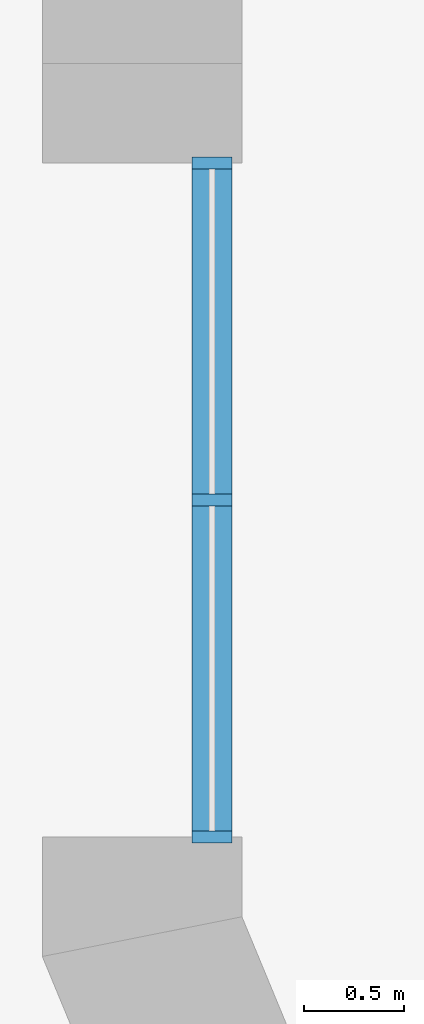
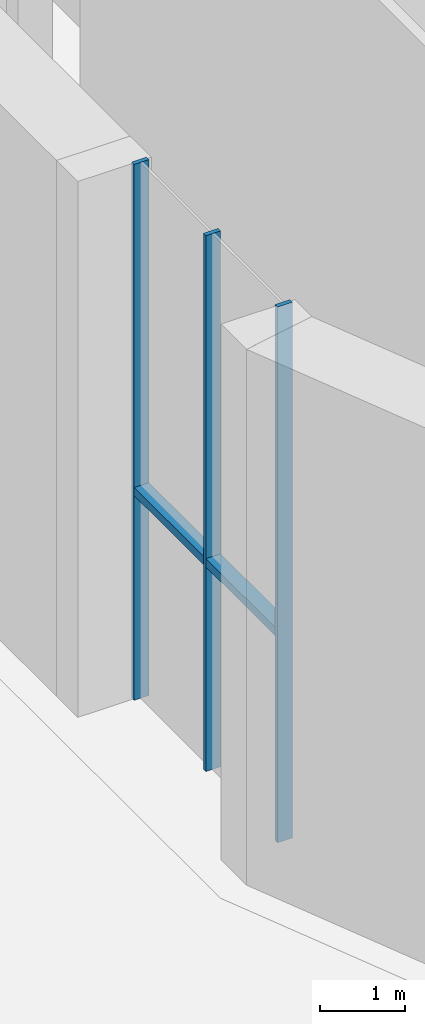
# One storey, part 2 of 22: 5 members, 1 element without a shape of its own.
"""IFC4 building model written with IfcOpenShell, lengths in metres."""

import ifcopenshell
import ifcopenshell.guid

model = None  # the IFC model being written
_history = None  # IfcOwnerHistory: only IFC2X3 demands one
_inside = {}  # id of a spatial element -> (the spatial element, [elements in it])
_under = {}  # id of a project, library or spatial element -> (it, [spatial elements below it])
_declared = {}  # id of a project -> (the project, [libraries it declares])
_typed = {}  # id of a type object -> (the type object, [elements of that type])
_made_of = {}  # id of a material, layer set ... -> (it, [elements and type objects made of it])


def new_model(schema):
    """Start an empty IFC model of exactly this schema.

    Asked for "IFC4X3", IfcOpenShell would pick the latest addendum, in which some entities
    have other attributes; the version numbers below select the first issue.
    IFC2X3 requires an IfcOwnerHistory on every rooted entity: one is made here for all.
    """
    global model, _history
    if schema == "IFC4X3":
        model = ifcopenshell.file(schema_version=(4, 3, 0, 0))
    else:
        model = ifcopenshell.file(schema=schema)
    _inside.clear()
    _under.clear()
    _declared.clear()
    _typed.clear()
    _made_of.clear()
    _history = None
    if model.schema == "IFC2X3":
        org = make("IfcOrganization", Name="unknown")
        user = make(
            "IfcPersonAndOrganization",
            ThePerson=make("IfcPerson", FamilyName="unknown"),
            TheOrganization=org,
        )
        app = make(
            "IfcApplication",
            ApplicationDeveloper=org,
            Version="unknown",
            ApplicationFullName="unknown",
            ApplicationIdentifier="unknown",
        )
        _history = make(
            "IfcOwnerHistory",
            OwningUser=user,
            OwningApplication=app,
            ChangeAction="ADDED",
            CreationDate=0,
        )
    return model


def make(cls, **values):
    """One entity of the class cls with the attributes given. An attribute that is None is left unset."""
    return model.create_entity(
        cls, **{name: value for name, value in values.items() if value is not None}
    )


def rooted(cls, **values):
    """An entity with a GlobalId (a new one), such as an element, a storey or a relation."""
    return make(cls, GlobalId=ifcopenshell.guid.new(), OwnerHistory=_history, **values)


def si_unit(unit_type, name, prefix=None):
    """IfcSIUnit, for example si_unit("LENGTHUNIT", "METRE", prefix="MILLI")."""
    return make("IfcSIUnit", UnitType=unit_type, Prefix=prefix, Name=name)


def assignment(units):
    """IfcUnitAssignment: the units of a project."""
    return None if units is None else make("IfcUnitAssignment", Units=units)


def point(xyz):
    """IfcCartesianPoint."""
    return None if xyz is None else make("IfcCartesianPoint", Coordinates=xyz)


def direction(xyz):
    """IfcDirection."""
    return None if xyz is None else make("IfcDirection", DirectionRatios=xyz)


def frame(location, z_axis=None, x_axis=None):
    """IfcAxis2Placement3D, a coordinate frame: its origin and axes. An axis left out is left unset."""
    return make(
        "IfcAxis2Placement3D",
        Location=point(location),
        Axis=direction(z_axis),
        RefDirection=direction(x_axis),
    )


def frame_2d(location, x_axis=None):
    """IfcAxis2Placement2D, a coordinate frame in the plane: its origin and x axis."""
    return make(
        "IfcAxis2Placement2D", Location=point(location), RefDirection=direction(x_axis)
    )


def origin():
    """The frame at (0, 0, 0) with its axes left unset."""
    return frame((0.0, 0.0, 0.0))


def origin_2d():
    """The frame at (0, 0) in the plane with its x axis left unset."""
    return frame_2d((0.0, 0.0))


def place(relative_to, where):
    """IfcLocalPlacement: puts the frame where relative to a parent placement (None: the world)."""
    return make(
        "IfcLocalPlacement", PlacementRelTo=relative_to, RelativePlacement=where
    )


def context(
    kind, dimensions, precision=None, world=None, true_north=None, identifier=None
):
    """IfcGeometricRepresentationContext, for example the 3D "Model" context."""
    return make(
        "IfcGeometricRepresentationContext",
        ContextIdentifier=identifier,
        ContextType=kind,
        CoordinateSpaceDimension=dimensions,
        Precision=precision,
        WorldCoordinateSystem=world,
        TrueNorth=true_north,
    )


def subcontext(parent, identifier, kind, view, scale=None):
    """IfcGeometricRepresentationSubContext, for example "Body" below "Model"."""
    return make(
        "IfcGeometricRepresentationSubContext",
        ContextIdentifier=identifier,
        ContextType=kind,
        ParentContext=parent,
        TargetScale=scale,
        TargetView=view,
    )


def project(units=None, contexts=None):
    """IfcProject with its units and contexts."""
    return rooted(
        "IfcProject",
        Name="project",
        RepresentationContexts=contexts,
        UnitsInContext=assignment(units),
    )


def spatial(cls, under=None, at=None, **own):
    """A site, building, storey or space (cls), placed at a placement, below another one or the project."""
    s = rooted(cls, ObjectPlacement=at, **own)
    if under is not None:
        _under.setdefault(under.id(), (under, []))[1].append(s)
    return s


def profile(cls, at=None, kind="AREA", **sizes):
    """A parametric profile (cls). Its sizes go by their IFC names, for example OverallWidth=200.0."""
    return make(cls, ProfileType=kind, Position=at, **sizes)


def rectangle(**sizes):
    """IfcRectangleProfileDef."""
    return profile("IfcRectangleProfileDef", **sizes)


def extrude(swept, where, along, depth):
    """IfcExtrudedAreaSolid: the profile swept, set in the frame where, extruded along a direction by depth."""
    return make(
        "IfcExtrudedAreaSolid",
        SweptArea=swept,
        Position=where,
        ExtrudedDirection=direction(along),
        Depth=depth,
    )


def shape(context_of_items, identifier, shape_type, items):
    """IfcShapeRepresentation: the items that make up one representation, for example the "Body"."""
    return make(
        "IfcShapeRepresentation",
        ContextOfItems=context_of_items,
        RepresentationIdentifier=identifier,
        RepresentationType=shape_type,
        Items=items,
    )


def material(Name=None, Category=None):
    """IfcMaterial."""
    return make("IfcMaterial", Name=Name, Category=Category)


def layer(
    of_material, thickness, ventilated=None, Name=None, Category=None, Priority=None
):
    """IfcMaterialLayer: one layer of a wall or slab, of a material (None: an air gap)."""
    return make(
        "IfcMaterialLayer",
        Material=of_material,
        LayerThickness=thickness,
        IsVentilated=ventilated,
        Name=Name,
        Category=Category,
        Priority=Priority,
    )


def layer_set(layers, Name=None):
    """IfcMaterialLayerSet."""
    return make("IfcMaterialLayerSet", MaterialLayers=layers, LayerSetName=Name)


def material_profile(
    of_material, cross_section, Name=None, Category=None, Priority=None
):
    """IfcMaterialProfile: a cross section and its material."""
    return make(
        "IfcMaterialProfile",
        Name=Name,
        Material=of_material,
        Profile=cross_section,
        Priority=Priority,
        Category=Category,
    )


def profile_set(profiles, Name=None, composite=None):
    """IfcMaterialProfileSet."""
    return make(
        "IfcMaterialProfileSet",
        Name=Name,
        MaterialProfiles=profiles,
        CompositeProfile=composite,
    )


def made_of(thing, what):
    """Note that an element or type object is made of a material, layer set ...; save() writes the relation."""
    if what is not None:
        _made_of.setdefault(what.id(), (what, []))[1].append(thing)
    return thing


def type_object(cls, material=None, **own):
    """A type object (cls), such as IfcWallType, which elements share."""
    return made_of(rooted(cls, **own), material)


def element(
    cls,
    number,
    at=None,
    inside=None,
    cuts=None,
    type_object=None,
    material=None,
    context=None,
    identifier="Body",
    shape_type=None,
    held_by="IfcProductDefinitionShape",
    body=None,
    shapes=None,
    **own,
):
    """One element of the class cls, such as IfcWall. Its Tag is "e" and its number.

    at: its placement. inside: the storey or other place that contains it. cuts: it is an
    opening in that element (IfcRelVoidsElement). A single representation is given by context,
    identifier, shape_type and body (its items); several are given by shapes. held_by: the class
    of the entity that holds the representations. save() writes the other relations.
    """
    e = rooted(cls, Tag="e%d" % number, ObjectPlacement=at, **own)
    if body is not None:
        shapes = [shape(context, identifier, shape_type, body)]
    if shapes is not None:
        e.Representation = make(held_by, Representations=shapes)
    if inside is not None:
        _inside.setdefault(inside.id(), (inside, []))[1].append(e)
    if cuts is not None:
        rooted(
            "IfcRelVoidsElement", RelatingBuildingElement=cuts, RelatedOpeningElement=e
        )
    if type_object is not None:
        _typed.setdefault(type_object.id(), (type_object, []))[1].append(e)
    return made_of(e, material)


def aggregate(whole, parts):
    """IfcRelAggregates: a whole, such as a stair, and the parts it consists of."""
    return rooted("IfcRelAggregates", RelatingObject=whole, RelatedObjects=parts)


def save(model, path):
    """Write the relations noted so far, then the file.

    IfcRelAggregates (storeys below a building ...), IfcRelContainedInSpatialStructure (elements
    in a storey), IfcRelDefinesByType, IfcRelAssociatesMaterial and IfcRelDeclares: one each for
    every whole, place, type object, material and project.
    """
    for whole, parts in _under.values():
        aggregate(whole, parts)
    for where, things in _inside.values():
        rooted(
            "IfcRelContainedInSpatialStructure",
            RelatedElements=things,
            RelatingStructure=where,
        )
    for kind, things in _typed.values():
        rooted("IfcRelDefinesByType", RelatedObjects=things, RelatingType=kind)
    for what, things in _made_of.values():
        rooted("IfcRelAssociatesMaterial", RelatedObjects=things, RelatingMaterial=what)
    for by, libraries in _declared.values():
        rooted("IfcRelDeclares", RelatingContext=by, RelatedDefinitions=libraries)
    model.write(path)


model = new_model("IFC4")

# Units and contexts
model_context = context("Model", 3, precision=1e-05, world=origin(), true_north=direction((0.0, 1.0)))
body_context = subcontext(model_context, "Body", "Model", "MODEL_VIEW")
ifc_project = project(units=[si_unit("LENGTHUNIT", "METRE"), si_unit("AREAUNIT", "SQUARE_METRE"), si_unit("VOLUMEUNIT", "CUBIC_METRE"), si_unit("PLANEANGLEUNIT", "RADIAN"), si_unit("MASSUNIT", "GRAM", prefix="KILO")], contexts=[model_context])

# Site, building, storey
site_placement = place(None, origin())
site = spatial("IfcSite", under=ifc_project, at=site_placement, CompositionType="ELEMENT")
building_placement = place(site_placement, origin())
building = spatial("IfcBuilding", under=site, at=building_placement, Name="Ostrand Prow Hotel Tower", CompositionType="ELEMENT")
storey_placement = place(building_placement, origin())
storey = spatial("IfcBuildingStorey", under=building, at=storey_placement, Name="L00", CompositionType="ELEMENT", Elevation=0.0)

# Curtain wall, members
ifc_material_1 = material(Name="Insulated glass in bronze anodised frame", Category="glass")
ifc_layer = layer(ifc_material_1, 0.199951171875)
ifc_layer_set = layer_set([ifc_layer], Name="Insulated glass in bronze anodised frame")
curtain_wall_type = type_object("IfcCurtainWallType", Name="Podium storefront curtain wall, clear glass in bronze frame", PredefinedType="NOTDEFINED", material=ifc_layer_set)
curtain_wall_placement = place(storey_placement, origin())
curtain_wall = element("IfcCurtainWall", 1, at=curtain_wall_placement, inside=storey, type_object=curtain_wall_type, Name="CW8 run CWS", PredefinedType="NOTDEFINED")
ifc_material_2 = material(Name="Bronze anodised aluminium", Category="aluminium")
ifc_material_profile_1 = material_profile(ifc_material_2, rectangle(XDim=0.199951171875, YDim=0.06005859375, at=origin_2d()), Name="Mullion 60x200 bronze anodised aluminium")
ifc_profile_set_1 = profile_set([ifc_material_profile_1], Name="Bronze anodised aluminium")
member_type_1 = type_object("IfcMemberType", Name="Mullion 60x200 bronze anodised aluminium", PredefinedType="MULLION", material=ifc_profile_set_1)
member_1_placement = place(storey_placement, frame((43.25, -28.94482421875, 0.0), z_axis=(0.0, 0.0, 1.0), x_axis=(1.0, 0.0, 0.0)))
member_1 = element("IfcMember", 2, at=member_1_placement, type_object=member_type_1, Name="CW8 mullion 1", PredefinedType="MULLION", context=body_context, shape_type="SweptSolid", body=[
    extrude(rectangle(XDim=0.199951171875, YDim=0.06005859375, at=origin_2d()), origin(), (0.0, 0.0, 1.0), 7.699951171875),
])
member_2_placement = place(storey_placement, frame((43.25, -30.6328125, 0.0), z_axis=(0.0, 0.0, 1.0), x_axis=(1.0, 0.0, 0.0)))
member_2 = element("IfcMember", 3, at=member_2_placement, type_object=member_type_1, Name="CW8 mullion 2", PredefinedType="MULLION", context=body_context, shape_type="SweptSolid", body=[
    extrude(rectangle(XDim=0.199951171875, YDim=0.06005859375, at=origin_2d()), origin(), (0.0, 0.0, 1.0), 7.699951171875),
])
member_3_placement = place(storey_placement, frame((43.25, -32.321044921875, 0.0), z_axis=(0.0, 0.0, 1.0), x_axis=(1.0, 0.0, 0.0)))
member_3 = element("IfcMember", 4, at=member_3_placement, type_object=member_type_1, Name="CW8 mullion 3", PredefinedType="MULLION", context=body_context, shape_type="SweptSolid", body=[
    extrude(rectangle(XDim=0.199951171875, YDim=0.06005859375, at=origin_2d()), origin(), (0.0, 0.0, 1.0), 7.699951171875),
])
ifc_material_3 = material(Name="Bronze anodised aluminium", Category="aluminium")
ifc_material_profile_2 = material_profile(ifc_material_3, rectangle(XDim=0.199951171875, YDim=0.1201171875, at=origin_2d()), Name="Transom 120x200 bronze anodised aluminium")
ifc_profile_set_2 = profile_set([ifc_material_profile_2], Name="Bronze anodised aluminium")
member_type_2 = type_object("IfcMemberType", Name="Transom 120x200 bronze anodised aluminium", PredefinedType="USERDEFINED", material=ifc_profile_set_2)
member_4_placement = place(storey_placement, frame((43.25, -28.974853515625, 3.0), z_axis=(0.0, -1.0, 0.0), x_axis=(1.0, 0.0, 0.0)))
member_4 = element("IfcMember", 5, at=member_4_placement, type_object=member_type_2, Name="CW8 transom 1.1", ObjectType="TRANSOM", PredefinedType="USERDEFINED", context=body_context, shape_type="SweptSolid", body=[
    extrude(rectangle(XDim=0.199951171875, YDim=0.1201171875, at=origin_2d()), origin(), (0.0, 0.0, 1.0), 1.6279296875),
])
member_5_placement = place(storey_placement, frame((43.25, -30.662841796875, 3.0), z_axis=(0.0, -1.0, 0.0), x_axis=(1.0, 0.0, 0.0)))
member_5 = element("IfcMember", 6, at=member_5_placement, type_object=member_type_2, Name="CW8 transom 2.1", ObjectType="TRANSOM", PredefinedType="USERDEFINED", context=body_context, shape_type="SweptSolid", body=[
    extrude(rectangle(XDim=0.199951171875, YDim=0.1201171875, at=origin_2d()), origin(), (0.0, 0.0, 1.0), 1.628173828125),
])
aggregate(curtain_wall, [member_1, member_2, member_3, member_4, member_5])

save(model, "model.ifc")
